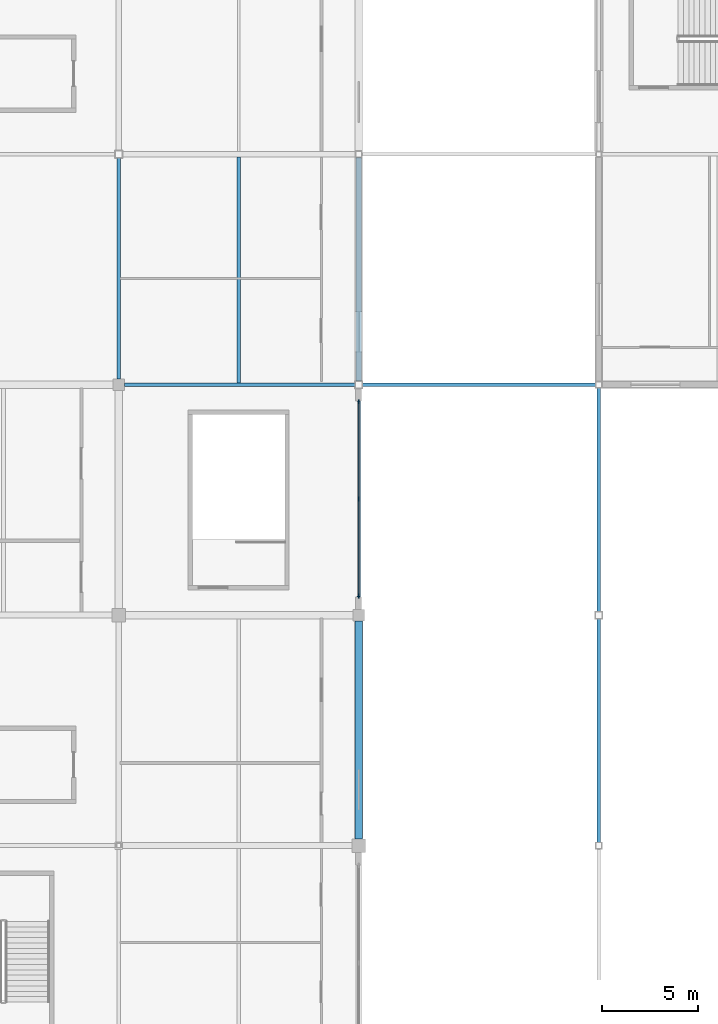
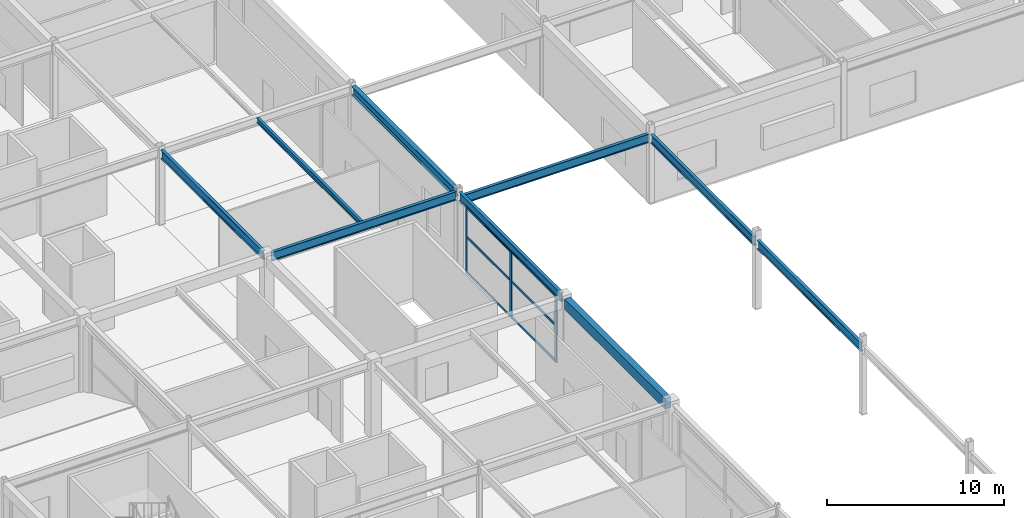
# One storey, part 40 of 105: 9 beams, 9 members, 1 element without a shape of its own.
"""IFC4 building model written with IfcOpenShell, lengths in metres."""

from ifc_helpers import new_model, si_unit, direction, frame, origin, origin_2d, place, context, subcontext, project, spatial, rectangle, i_section, extrude, material, layer, layer_set, material_profile, profile_set, type_object, element, aggregate, save


model = new_model("IFC4")

# Units and contexts
model_context = context("Model", 3, precision=1e-05, world=origin(), true_north=direction((0.0, 1.0)))
body_context = subcontext(model_context, "Body", "Model", "MODEL_VIEW")
ifc_project = project(units=[si_unit("LENGTHUNIT", "METRE"), si_unit("AREAUNIT", "SQUARE_METRE"), si_unit("VOLUMEUNIT", "CUBIC_METRE"), si_unit("PLANEANGLEUNIT", "RADIAN"), si_unit("MASSUNIT", "GRAM", prefix="KILO")], contexts=[model_context])

# Site, building, storey
site_placement = place(None, origin())
site = spatial("IfcSite", under=ifc_project, at=site_placement, CompositionType="ELEMENT")
building_placement = place(site_placement, origin())
building = spatial("IfcBuilding", under=site, at=building_placement, Name="Kazenohara Klinker Stadium", CompositionType="ELEMENT")
storey_placement = place(building_placement, frame((0.0, 0.0, 20.39990234375)))
storey = spatial("IfcBuildingStorey", under=building, at=storey_placement, Name="L04", CompositionType="ELEMENT", Elevation=20.39990234375)

# Beams
ifc_material_1 = material(Name="Steel S355", Category="steel")
ifc_material_profile_1 = material_profile(ifc_material_1, i_section(OverallWidth=0.175048828125, OverallDepth=0.35009765625, WebThickness=0.007080078125, FlangeThickness=0.010986328125, FilletRadius=0.012939453125, at=origin_2d()), Name="H-350x175x7x11")
ifc_profile_set_1 = profile_set([ifc_material_profile_1], Name="Steel S355")
beam_type_1 = type_object("IfcBeamType", Name="BM-JST04", PredefinedType="JOIST", material=ifc_profile_set_1)
beam_1_placement = place(storey_placement, frame((30.25, 132.10009765625, 5.005126953125), z_axis=(0.0, 1.0, 0.0), x_axis=(-1.0, 0.0, 0.0)))
element("IfcBeam", 1, at=beam_1_placement, inside=storey, type_object=beam_type_1, Name="Secondary floor joist SJ04 L04 3/M", PredefinedType="JOIST", context=body_context, shape_type="SweptSolid", body=[
    extrude(i_section(OverallWidth=0.175048828125, OverallDepth=0.35009765625, WebThickness=0.007080078125, FlangeThickness=0.010986328125, FilletRadius=0.012939453125, at=origin_2d()), origin(), (0.0, 0.0, 1.0), 11.75),
])
ifc_material_2 = material(Name="Concrete C40/50", Category="concrete")
ifc_material_profile_2 = material_profile(ifc_material_2, rectangle(XDim=0.39990234375, YDim=0.699951171875, at=origin_2d()), Name="RC-BM-400x700")
ifc_profile_set_2 = profile_set([ifc_material_profile_2], Name="Concrete C40/50")
beam_type_2 = type_object("IfcBeamType", Name="BM-RC04", PredefinedType="BEAM", material=ifc_profile_set_2)
beam_2_placement = place(storey_placement, frame((36.5, 108.35009765625, 4.830078125), z_axis=(0.0, 1.0, 0.0), x_axis=(-1.0, 0.0, 0.0)))
element("IfcBeam", 2, at=beam_2_placement, inside=storey, type_object=beam_type_2, Name="Primary girder BG04 L04 4/K-L", PredefinedType="BEAM", context=body_context, shape_type="SweptSolid", body=[
    extrude(rectangle(XDim=0.39990234375, YDim=0.699951171875, at=origin_2d()), origin(), (0.0, 0.0, 1.0), 11.349853515625),
])
ifc_material_profile_3 = material_profile(ifc_material_1, i_section(OverallWidth=0.199951171875, OverallDepth=0.60009765625, WebThickness=0.010986328125, FlangeThickness=0.01708984375, FilletRadius=0.012939453125, at=origin_2d()), Name="H-600x200x11x17")
ifc_profile_set_3 = profile_set([ifc_material_profile_3], Name="Steel S355")
beam_type_3 = type_object("IfcBeamType", Name="BM-ST04", PredefinedType="BEAM", material=ifc_profile_set_3)
beam_3_placement = place(storey_placement, frame((24.300048828125, 132.0, 4.880126953125), z_axis=(1.0, 0.0, 0.0), x_axis=(0.0, 1.0, 0.0)))
element("IfcBeam", 3, at=beam_3_placement, inside=storey, type_object=beam_type_3, Name="Primary girder SB04 L04 3-4/M", PredefinedType="BEAM", context=body_context, shape_type="SweptSolid", body=[
    extrude(i_section(OverallWidth=0.199951171875, OverallDepth=0.60009765625, WebThickness=0.010986328125, FlangeThickness=0.01708984375, FilletRadius=0.012939453125, at=origin_2d()), origin(), (0.0, 0.0, 1.0), 12.0),
])
for number, where, z_axis, x_axis, name in (
    (4, (24.0, 132.300048828125, 4.880126953125), (0.0, 1.0, 0.0), (-1.0, 0.0, 0.0), "Primary girder SB04 L04 3/M-N"),
    (5, (36.5, 120.300048828125, 4.880126953125), (0.0, 1.0, 0.0), (-1.0, 0.0, 0.0), "Primary girder SB04 L04 4/L-M"),
):
    element("IfcBeam", number, at=place(storey_placement, frame(where, z_axis=z_axis, x_axis=x_axis)), inside=storey, type_object=beam_type_3, Name=name, PredefinedType="BEAM", context=body_context, shape_type="SweptSolid", body=[
        extrude(i_section(OverallWidth=0.199951171875, OverallDepth=0.60009765625, WebThickness=0.010986328125, FlangeThickness=0.01708984375, FilletRadius=0.012939453125, at=origin_2d()), origin(), (0.0, 0.0, 1.0), 11.5),
    ])
for number, where, z_axis, x_axis, name in (
    (6, (49.0, 108.139892578125, 4.4501953125), (0.0, 1.0, 0.0), (-1.0, 0.0, 0.0), "Canopy tie girder SB04 L04 5/K"),
    (7, (49.0, 120.139892578125, 4.4501953125), (0.0, 1.0, 0.0), (-1.0, 0.0, 0.0), "Canopy tie girder SB04 L04 5/L"),
):
    element("IfcBeam", number, at=place(storey_placement, frame(where, z_axis=z_axis, x_axis=x_axis)), inside=storey, type_object=beam_type_3, Name=name, PredefinedType="BEAM", context=body_context, shape_type="SweptSolid", body=[
        extrude(i_section(OverallWidth=0.199951171875, OverallDepth=0.60009765625, WebThickness=0.010986328125, FlangeThickness=0.01708984375, FilletRadius=0.012939453125, at=origin_2d()), origin(), (0.0, 0.0, 1.0), 11.72021484375),
    ])
beam_4_placement = place(storey_placement, frame((36.639892578125, 132.0, 4.4501953125), z_axis=(1.0, 0.0, 0.0), x_axis=(0.0, 1.0, 0.0)))
element("IfcBeam", 8, at=beam_4_placement, inside=storey, type_object=beam_type_3, Name="Canopy tie girder SB04 L04 4-5/M", PredefinedType="BEAM", context=body_context, shape_type="SweptSolid", body=[
    extrude(i_section(OverallWidth=0.199951171875, OverallDepth=0.60009765625, WebThickness=0.010986328125, FlangeThickness=0.01708984375, FilletRadius=0.012939453125, at=origin_2d()), origin(), (0.0, 0.0, 1.0), 12.22021484375),
])
ifc_material_profile_4 = material_profile(ifc_material_1, i_section(OverallWidth=0.300048828125, OverallDepth=0.587890625, WebThickness=0.011962890625, FlangeThickness=0.02001953125, FilletRadius=0.02197265625, at=origin_2d()), Name="H-588x300x12x20")
ifc_profile_set_4 = profile_set([ifc_material_profile_4], Name="Steel S355")
beam_type_4 = type_object("IfcBeamType", Name="BM-ST05", PredefinedType="BEAM", material=ifc_profile_set_4)
beam_5_placement = place(storey_placement, frame((36.5, 132.199951171875, 4.885986328125), z_axis=(0.0, 1.0, 0.0), x_axis=(-1.0, 0.0, 0.0)))
element("IfcBeam", 9, at=beam_5_placement, inside=storey, type_object=beam_type_4, Name="Primary girder SB05 L04 4/M-N", PredefinedType="BEAM", context=body_context, shape_type="SweptSolid", body=[
    extrude(i_section(OverallWidth=0.300048828125, OverallDepth=0.587890625, WebThickness=0.011962890625, FlangeThickness=0.02001953125, FilletRadius=0.02197265625, at=origin_2d()), origin(), (0.0, 0.0, 1.0), 11.625),
])

# Curtain wall, members
ifc_material_3 = material(Name="Anodised aluminium and triple glazing", Category="aluminium")
ifc_layer = layer(ifc_material_3, 0.159912109375)
ifc_layer_set = layer_set([ifc_layer], Name="Anodised aluminium and triple glazing")
curtain_wall_type = type_object("IfcCurtainWallType", Name="CW-SYS-01", PredefinedType="USERDEFINED", material=ifc_layer_set)
curtain_wall_placement = place(storey_placement, origin())
curtain_wall = element("IfcCurtainWall", 10, at=curtain_wall_placement, inside=storey, type_object=curtain_wall_type, Name="Unitised facade curtain wall CW01 L04 Y3-10", ObjectType="UNITISED CURTAIN WALL", PredefinedType="USERDEFINED")
ifc_material_4 = material(Name="Anodised aluminium 6063-T6", Category="aluminium")
ifc_material_profile_5 = material_profile(ifc_material_4, rectangle(XDim=0.074951171875, YDim=0.219970703125, at=origin_2d()), Name="ALU-MUL-75x220")
ifc_profile_set_5 = profile_set([ifc_material_profile_5], Name="Anodised aluminium 6063-T6")
member_type_1 = type_object("IfcMemberType", Name="CW-MUL-220", PredefinedType="MULLION", material=ifc_profile_set_5)
member_1_placement = place(storey_placement, frame((36.5, 120.991455078125, 0.0), z_axis=(0.0, 0.0, 1.0), x_axis=(-1.0, 0.0, 0.0)))
member_1 = element("IfcMember", 11, at=member_1_placement, type_object=member_type_1, Name="CW01 mullion 1", PredefinedType="MULLION", context=body_context, shape_type="SweptSolid", body=[
    extrude(rectangle(XDim=0.074951171875, YDim=0.219970703125, at=origin_2d()), origin(), (0.0, 0.0, 1.0), 4.580078125),
])
member_2_placement = place(storey_placement, frame((36.5, 126.050048828125, 0.0), z_axis=(0.0, 0.0, 1.0), x_axis=(-1.0, 0.0, 0.0)))
member_2 = element("IfcMember", 12, at=member_2_placement, type_object=member_type_1, Name="CW01 mullion 2", PredefinedType="MULLION", context=body_context, shape_type="SweptSolid", body=[
    extrude(rectangle(XDim=0.074951171875, YDim=0.219970703125, at=origin_2d()), origin(), (0.0, 0.0, 1.0), 4.580078125),
])
member_3_placement = place(storey_placement, frame((36.5, 131.1083984375, 0.0), z_axis=(0.0, 0.0, 1.0), x_axis=(-1.0, 0.0, 0.0)))
member_3 = element("IfcMember", 13, at=member_3_placement, type_object=member_type_1, Name="CW01 mullion 3", PredefinedType="MULLION", context=body_context, shape_type="SweptSolid", body=[
    extrude(rectangle(XDim=0.074951171875, YDim=0.219970703125, at=origin_2d()), origin(), (0.0, 0.0, 1.0), 4.580078125),
])
ifc_material_profile_6 = material_profile(ifc_material_4, rectangle(XDim=0.074951171875, YDim=0.159912109375, at=origin_2d()), Name="ALU-TRN-75x160")
ifc_profile_set_6 = profile_set([ifc_material_profile_6], Name="Anodised aluminium 6063-T6")
member_type_2 = type_object("IfcMemberType", Name="CW-TRN-160", PredefinedType="USERDEFINED", material=ifc_profile_set_6)
member_4_placement = place(storey_placement, frame((36.5, 121.029052734375, 0.03759765625), z_axis=(0.0, 1.0, 0.0), x_axis=(-1.0, 0.0, 0.0)))
member_4 = element("IfcMember", 14, at=member_4_placement, type_object=member_type_2, Name="CW01 transom 1.1", ObjectType="TRANSOM", PredefinedType="USERDEFINED", context=body_context, shape_type="SweptSolid", body=[
    extrude(rectangle(XDim=0.074951171875, YDim=0.159912109375, at=origin_2d()), origin(), (0.0, 0.0, 1.0), 4.9833984375),
])
member_5_placement = place(storey_placement, frame((36.5, 121.029052734375, 2.51904296875), z_axis=(0.0, 1.0, 0.0), x_axis=(-1.0, 0.0, 0.0)))
member_5 = element("IfcMember", 15, at=member_5_placement, type_object=member_type_2, Name="CW01 transom 1.2", ObjectType="TRANSOM", PredefinedType="USERDEFINED", context=body_context, shape_type="SweptSolid", body=[
    extrude(rectangle(XDim=0.074951171875, YDim=0.159912109375, at=origin_2d()), origin(), (0.0, 0.0, 1.0), 4.9833984375),
])
member_6_placement = place(storey_placement, frame((36.5, 121.029052734375, 4.54248046875), z_axis=(0.0, 1.0, 0.0), x_axis=(-1.0, 0.0, 0.0)))
member_6 = element("IfcMember", 16, at=member_6_placement, type_object=member_type_2, Name="CW01 transom 1.3", ObjectType="TRANSOM", PredefinedType="USERDEFINED", context=body_context, shape_type="SweptSolid", body=[
    extrude(rectangle(XDim=0.074951171875, YDim=0.159912109375, at=origin_2d()), origin(), (0.0, 0.0, 1.0), 4.9833984375),
])
member_7_placement = place(storey_placement, frame((36.5, 126.08740234375, 0.03759765625), z_axis=(0.0, 1.0, 0.0), x_axis=(-1.0, 0.0, 0.0)))
member_7 = element("IfcMember", 17, at=member_7_placement, type_object=member_type_2, Name="CW01 transom 2.1", ObjectType="TRANSOM", PredefinedType="USERDEFINED", context=body_context, shape_type="SweptSolid", body=[
    extrude(rectangle(XDim=0.074951171875, YDim=0.159912109375, at=origin_2d()), origin(), (0.0, 0.0, 1.0), 4.983642578125),
])
member_8_placement = place(storey_placement, frame((36.5, 126.08740234375, 2.51904296875), z_axis=(0.0, 1.0, 0.0), x_axis=(-1.0, 0.0, 0.0)))
member_8 = element("IfcMember", 18, at=member_8_placement, type_object=member_type_2, Name="CW01 transom 2.2", ObjectType="TRANSOM", PredefinedType="USERDEFINED", context=body_context, shape_type="SweptSolid", body=[
    extrude(rectangle(XDim=0.074951171875, YDim=0.159912109375, at=origin_2d()), origin(), (0.0, 0.0, 1.0), 4.983642578125),
])
member_9_placement = place(storey_placement, frame((36.5, 126.08740234375, 4.54248046875), z_axis=(0.0, 1.0, 0.0), x_axis=(-1.0, 0.0, 0.0)))
member_9 = element("IfcMember", 19, at=member_9_placement, type_object=member_type_2, Name="CW01 transom 2.3", ObjectType="TRANSOM", PredefinedType="USERDEFINED", context=body_context, shape_type="SweptSolid", body=[
    extrude(rectangle(XDim=0.074951171875, YDim=0.159912109375, at=origin_2d()), origin(), (0.0, 0.0, 1.0), 4.983642578125),
])
aggregate(curtain_wall, [member_1, member_2, member_3, member_4, member_5, member_6, member_7, member_8, member_9])

save(model, "model.ifc")
